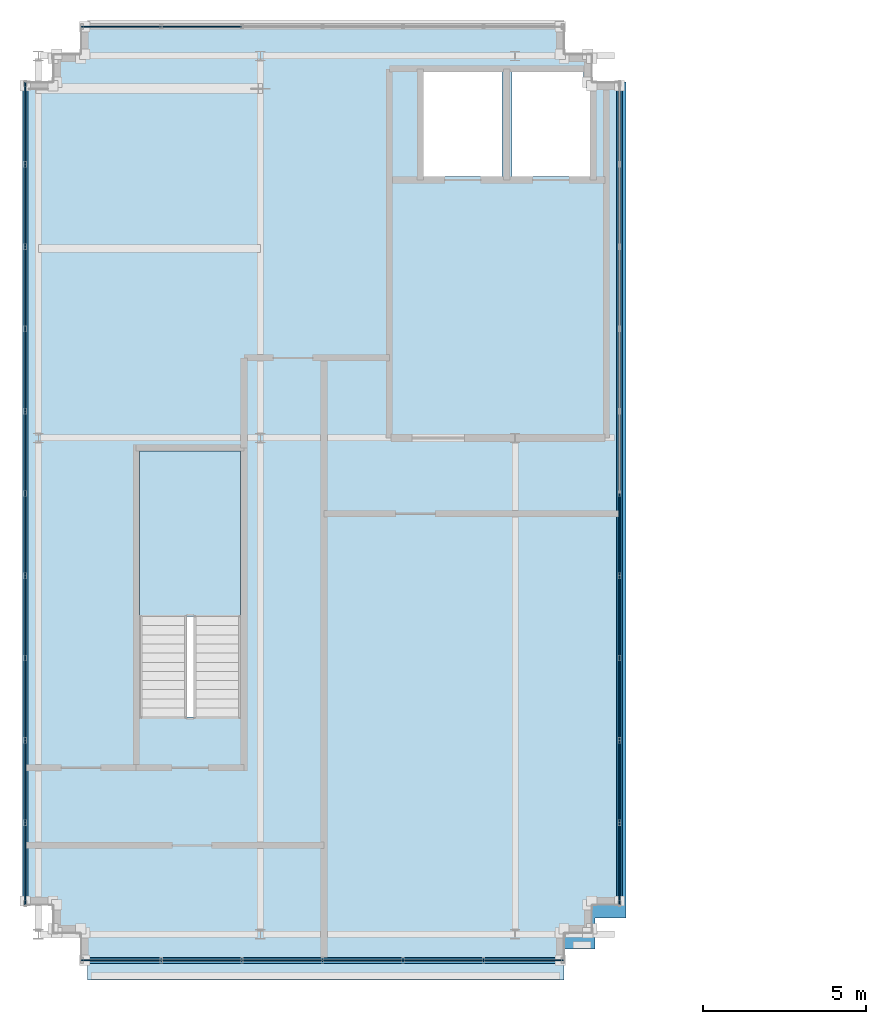
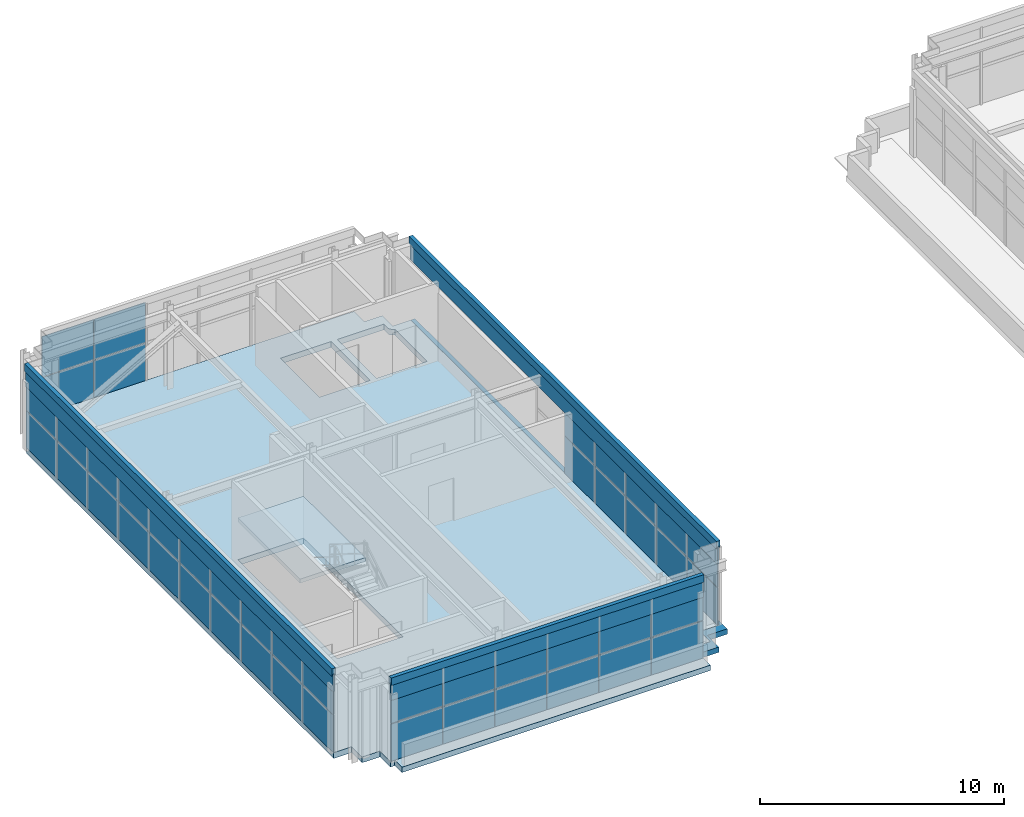
# One storey, part 16 of 25: 52 plates, 4 slabs, 5 elements without a shape of their own.
"""IFC4 building model written with IfcOpenShell, lengths in metres."""

from ifc_helpers import new_model, si_unit, direction, frame, origin, origin_2d, place, context, subcontext, project, spatial, polyline, rectangle, outline, extrude, source, transform, mapped, material, layer, layer_set, type_object, element, aggregate, save


model = new_model("IFC4")

# Units and contexts
model_context = context("Model", 3, precision=1e-05, world=origin(), true_north=direction((0.0, 1.0)))
body_context = subcontext(model_context, "Body", "Model", "MODEL_VIEW")
ifc_project = project(units=[si_unit("LENGTHUNIT", "METRE"), si_unit("AREAUNIT", "SQUARE_METRE"), si_unit("VOLUMEUNIT", "CUBIC_METRE"), si_unit("PLANEANGLEUNIT", "RADIAN"), si_unit("MASSUNIT", "GRAM", prefix="KILO")], contexts=[model_context])

# Site, building, storey
site_placement = place(None, origin())
site = spatial("IfcSite", under=ifc_project, at=site_placement, CompositionType="ELEMENT")
building_placement = place(site_placement, origin())
building = spatial("IfcBuilding", under=site, at=building_placement, Name="Trelvane Seafront Commons", CompositionType="ELEMENT")
storey_placement = place(building_placement, frame((0.0, 0.0, 316.699951171875)))
storey = spatial("IfcBuildingStorey", under=building, at=storey_placement, Name="L82", CompositionType="ELEMENT", Elevation=316.699951171875)

# Stair, slab
ifc_material_1 = material(Name="Concrete C40/50", Category="concrete")
stair_type = type_object("IfcStairType", Name="ARCH-STR-ST-5-R24-175", PredefinedType="HALF_TURN_STAIR", material=ifc_material_1)
stair_placement = place(storey_placement, origin())
stair = element("IfcStair", 1, at=stair_placement, inside=storey, type_object=stair_type, Name="L82 Crown West Peak Enclosed Maintenance Exit Stair ST-5", PredefinedType="HALF_TURN_STAIR")
ifc_layer_1 = layer(ifc_material_1, 0.199951171875, Name="ARCH-LND-200")
ifc_layer_set_1 = layer_set([ifc_layer_1], Name="Concrete C40/50")
slab_type_1 = type_object("IfcSlabType", Name="ARCH-LND-200", PredefinedType="LANDING", material=ifc_layer_set_1)
slab_1_placement = place(storey_placement, frame((0.0, 0.0, 1.900146484375)))
slab_1 = element("IfcSlab", 2, at=slab_1_placement, type_object=slab_type_1, Name="ST-5 landing 1", PredefinedType="LANDING", context=body_context, shape_type="SweptSolid", body=[
    extrude(outline(polyline([(15.0, 27.929931640625), (15.0, 33.0), (11.89990234375, 33.0), (11.89990234375, 27.929931640625), (15.0, 27.929931640625)])), origin(), (0.0, 0.0, 1.0), 0.199951171875),
])
aggregate(stair, [slab_1])

# Slabs
ifc_layer_2 = layer(ifc_material_1, 0.27001953125, Name="STR-ROOF-270")
ifc_layer_set_2 = layer_set([ifc_layer_2], Name="Concrete C40/50")
slab_type_2 = type_object("IfcSlabType", Name="STR-ROOF-270", PredefinedType="ROOF", material=ifc_layer_set_2)
slab_2_placement = place(storey_placement, frame((0.0, 0.0, -0.27001953125)))
element("IfcSlab", 3, at=slab_2_placement, inside=storey, type_object=slab_type_2, Name="L82 Crown Setback Step Roof Slab", PredefinedType="ROOF", context=body_context, shape_type="SweptSolid", body=[
    extrude(outline(polyline([(26.60009765625, 44.300048828125), (26.60009765625, 19.10009765625), (25.75, 19.10009765625), (25.75, 18.25), (24.89990234375, 18.25), (24.89990234375, 17.75), (25.85009765625, 17.75), (25.85009765625, 18.699951171875), (26.800048828125, 18.699951171875), (26.800048828125, 44.300048828125), (26.60009765625, 44.300048828125)])), origin(), (0.0, 0.0, 1.0), 0.27001953125),
])
slab_3_placement = place(storey_placement, frame((0.0, 0.0, -0.27001953125)))
element("IfcSlab", 4, at=slab_3_placement, inside=storey, type_object=slab_type_2, Name="L82 Crown Setback Step Roof Slab", PredefinedType="ROOF", context=body_context, shape_type="SweptSolid", body=[
    extrude(outline(polyline([(24.89990234375, 17.39990234375), (10.300048828125, 17.39990234375), (10.300048828125, 16.800048828125), (24.89990234375, 16.800048828125), (24.89990234375, 17.39990234375)])), origin(), (0.0, 0.0, 1.0), 0.27001953125),
])
ifc_material_2 = material(Name="Concrete C50/60", Category="concrete")
ifc_layer_3 = layer(ifc_material_2, 0.2900390625, Name="STR-SLB-CRN290")
ifc_layer_set_3 = layer_set([ifc_layer_3], Name="Concrete C50/60")
slab_type_3 = type_object("IfcSlabType", Name="STR-SLB-CRN290", PredefinedType="FLOOR", material=ifc_layer_set_3)
slab_4_placement = place(storey_placement, frame((0.0, 0.0, -0.2900390625)))
element("IfcSlab", 5, at=slab_4_placement, inside=storey, type_object=slab_type_3, Name="L82 West Crown Peak Floor Slab", PredefinedType="FLOOR", context=body_context, shape_type="SweptSolid", body=[
    extrude(outline(polyline([(10.10009765625, 17.39990234375), (24.89990234375, 17.39990234375), (24.89990234375, 18.25), (25.75, 18.25), (25.75, 19.10009765625), (26.60009765625, 19.10009765625), (26.60009765625, 44.300048828125), (25.75, 44.300048828125), (25.75, 45.14990234375), (24.89990234375, 45.14990234375), (24.89990234375, 46.0), (10.10009765625, 46.0), (10.10009765625, 45.14990234375), (9.25, 45.14990234375), (9.25, 44.300048828125), (8.39990234375, 44.300048828125), (8.39990234375, 19.10009765625), (9.25, 19.10009765625), (9.25, 18.25), (10.10009765625, 18.25), (10.10009765625, 17.39990234375)]), holes=[polyline([(15.0, 33.0), (15.0, 24.85009765625), (11.89990234375, 24.85009765625), (11.89990234375, 33.0), (15.0, 33.0)]), polyline([(23.0, 44.60009765625), (23.0, 41.39990234375), (20.60009765625, 41.39990234375), (20.60009765625, 44.60009765625), (23.0, 44.60009765625)]), polyline([(25.5, 44.60009765625), (25.5, 44.300048828125), (25.501220703125, 44.275390625), (25.5048828125, 44.251220703125), (25.5107421875, 44.227294921875), (25.51904296875, 44.204345703125), (25.529541015625, 44.18212890625), (25.5419921875, 44.1611328125), (25.556640625, 44.141357421875), (25.5732421875, 44.123291015625), (25.59130859375, 44.106689453125), (25.611083984375, 44.092041015625), (25.632080078125, 44.07958984375), (25.654296875, 44.069091796875), (25.677490234375, 44.060791015625), (25.699951171875, 44.05517578125), (25.699951171875, 41.39990234375), (23.300048828125, 41.39990234375), (23.300048828125, 44.60009765625), (25.5, 44.60009765625)])]), origin(), (0.0, 0.0, 1.0), 0.2900390625),
])

# Curtain wall, plates
ifc_material_3 = material(Name="Anodised pale-silver aluminium", Category="aluminium")
curtain_wall_type = type_object("IfcCurtainWallType", Name="ARCH-CW6-CROWN", PredefinedType="NOTDEFINED", material=ifc_material_3)
curtain_wall_1_placement = place(storey_placement, origin())
curtain_wall_1 = element("IfcCurtainWall", 6, at=curtain_wall_1_placement, inside=storey, type_object=curtain_wall_type, Name="CW-L82-0152", PredefinedType="NOTDEFINED")
ifc_material_4 = material(Name="Low-E coastal double glazing", Category="glass")
ifc_layer_4 = layer(ifc_material_4, 0.033935546875, Name="ARCH-CW-GLAZ-34")
ifc_layer_set_4 = layer_set([ifc_layer_4], Name="Low-E coastal double glazing")
plate_type_1 = type_object("IfcPlateType", Name="ARCH-CW-GLAZ-34", PredefinedType="CURTAIN_PANEL", material=ifc_layer_set_4)
shared_shape_1 = source(origin(), body_context, "Body", "SweptSolid", [
    extrude(rectangle(XDim=2.49609375, YDim=0.031982421875, at=origin_2d()), origin(), (0.0, 0.0, 1.0), 1.85888671875),
])
plate_1_placement = place(storey_placement, frame((8.39990234375, 20.360107421875, 0.0), z_axis=(0.0, 0.0, 1.0), x_axis=(0.0, 1.0, 0.0)))
plate_1 = element("IfcPlate", 7, at=plate_1_placement, type_object=plate_type_1, Name="CW-L82-0152-P00-1", PredefinedType="CURTAIN_PANEL", context=body_context, shape_type="MappedRepresentation", body=[
    mapped(shared_shape_1, transform((0.0, 0.0, 0.0), x_axis=(1.0, 0.0, 0.0), y_axis=(0.0, 1.0, 0.0), z_axis=(0.0, 0.0, 1.0), scale=1.0)),
])
plate_2_placement = place(storey_placement, frame((8.39990234375, 22.8798828125, 0.0), z_axis=(0.0, 0.0, 1.0), x_axis=(0.0, 1.0, 0.0)))
plate_2 = element("IfcPlate", 8, at=plate_2_placement, type_object=plate_type_1, Name="CW-L82-0152-P01-1", PredefinedType="CURTAIN_PANEL", context=body_context, shape_type="MappedRepresentation", body=[
    mapped(shared_shape_1, transform((0.0, 0.0, 0.0), x_axis=(1.0, 0.0, 0.0), y_axis=(0.0, 1.0, 0.0), z_axis=(0.0, 0.0, 1.0), scale=1.0)),
])
plate_3_placement = place(storey_placement, frame((8.39990234375, 25.39990234375, 0.0), z_axis=(0.0, 0.0, 1.0), x_axis=(0.0, 1.0, 0.0)))
plate_3 = element("IfcPlate", 9, at=plate_3_placement, type_object=plate_type_1, Name="CW-L82-0152-P02-1", PredefinedType="CURTAIN_PANEL", context=body_context, shape_type="MappedRepresentation", body=[
    mapped(shared_shape_1, transform((0.0, 0.0, 0.0), x_axis=(1.0, 0.0, 0.0), y_axis=(0.0, 1.0, 0.0), z_axis=(0.0, 0.0, 1.0), scale=1.0)),
])
plate_4_placement = place(storey_placement, frame((8.39990234375, 27.919921875, 0.0), z_axis=(0.0, 0.0, 1.0), x_axis=(0.0, 1.0, 0.0)))
plate_4 = element("IfcPlate", 10, at=plate_4_placement, type_object=plate_type_1, Name="CW-L82-0152-P03-1", PredefinedType="CURTAIN_PANEL", context=body_context, shape_type="MappedRepresentation", body=[
    mapped(shared_shape_1, transform((0.0, 0.0, 0.0), x_axis=(1.0, 0.0, 0.0), y_axis=(0.0, 1.0, 0.0), z_axis=(0.0, 0.0, 1.0), scale=1.0)),
])
plate_5_placement = place(storey_placement, frame((8.39990234375, 30.43994140625, 0.0), z_axis=(0.0, 0.0, 1.0), x_axis=(0.0, 1.0, 0.0)))
plate_5 = element("IfcPlate", 11, at=plate_5_placement, type_object=plate_type_1, Name="CW-L82-0152-P04-1", PredefinedType="CURTAIN_PANEL", context=body_context, shape_type="MappedRepresentation", body=[
    mapped(shared_shape_1, transform((0.0, 0.0, 0.0), x_axis=(1.0, 0.0, 0.0), y_axis=(0.0, 1.0, 0.0), z_axis=(0.0, 0.0, 1.0), scale=1.0)),
])
plate_6_placement = place(storey_placement, frame((8.39990234375, 32.9599609375, 0.0), z_axis=(0.0, 0.0, 1.0), x_axis=(0.0, 1.0, 0.0)))
plate_6 = element("IfcPlate", 12, at=plate_6_placement, type_object=plate_type_1, Name="CW-L82-0152-P05-1", PredefinedType="CURTAIN_PANEL", context=body_context, shape_type="MappedRepresentation", body=[
    mapped(shared_shape_1, transform((0.0, 0.0, 0.0), x_axis=(1.0, 0.0, 0.0), y_axis=(0.0, 1.0, 0.0), z_axis=(0.0, 0.0, 1.0), scale=1.0)),
])
plate_7_placement = place(storey_placement, frame((8.39990234375, 35.47998046875, 0.0), z_axis=(0.0, 0.0, 1.0), x_axis=(0.0, 1.0, 0.0)))
plate_7 = element("IfcPlate", 13, at=plate_7_placement, type_object=plate_type_1, Name="CW-L82-0152-P06-1", PredefinedType="CURTAIN_PANEL", context=body_context, shape_type="MappedRepresentation", body=[
    mapped(shared_shape_1, transform((0.0, 0.0, 0.0), x_axis=(1.0, 0.0, 0.0), y_axis=(0.0, 1.0, 0.0), z_axis=(0.0, 0.0, 1.0), scale=1.0)),
])
plate_8_placement = place(storey_placement, frame((8.39990234375, 38.0, 0.0), z_axis=(0.0, 0.0, 1.0), x_axis=(0.0, 1.0, 0.0)))
plate_8 = element("IfcPlate", 14, at=plate_8_placement, type_object=plate_type_1, Name="CW-L82-0152-P07-1", PredefinedType="CURTAIN_PANEL", context=body_context, shape_type="MappedRepresentation", body=[
    mapped(shared_shape_1, transform((0.0, 0.0, 0.0), x_axis=(1.0, 0.0, 0.0), y_axis=(0.0, 1.0, 0.0), z_axis=(0.0, 0.0, 1.0), scale=1.0)),
])
plate_9_placement = place(storey_placement, frame((8.39990234375, 40.52001953125, 0.0), z_axis=(0.0, 0.0, 1.0), x_axis=(0.0, 1.0, 0.0)))
plate_9 = element("IfcPlate", 15, at=plate_9_placement, type_object=plate_type_1, Name="CW-L82-0152-P08-1", PredefinedType="CURTAIN_PANEL", context=body_context, shape_type="MappedRepresentation", body=[
    mapped(shared_shape_1, transform((0.0, 0.0, 0.0), x_axis=(1.0, 0.0, 0.0), y_axis=(0.0, 1.0, 0.0), z_axis=(0.0, 0.0, 1.0), scale=1.0)),
])
plate_10_placement = place(storey_placement, frame((8.39990234375, 43.0400390625, 0.0), z_axis=(0.0, 0.0, 1.0), x_axis=(0.0, 1.0, 0.0)))
plate_10 = element("IfcPlate", 16, at=plate_10_placement, type_object=plate_type_1, Name="CW-L82-0152-P09-1", PredefinedType="CURTAIN_PANEL", context=body_context, shape_type="MappedRepresentation", body=[
    mapped(shared_shape_1, transform((0.0, 0.0, 0.0), x_axis=(1.0, 0.0, 0.0), y_axis=(0.0, 1.0, 0.0), z_axis=(0.0, 0.0, 1.0), scale=1.0)),
])

curtain_wall_2_placement = place(storey_placement, origin())
curtain_wall_2 = element("IfcCurtainWall", 17, at=curtain_wall_2_placement, inside=storey, type_object=curtain_wall_type, Name="CW-L82-0154", PredefinedType="NOTDEFINED")
plate_11_placement = place(storey_placement, frame((26.60009765625, 30.43994140625, 0.0), z_axis=(0.0, 0.0, 1.0), x_axis=(0.0, -1.0, 0.0)))
plate_11 = element("IfcPlate", 18, at=plate_11_placement, type_object=plate_type_1, Name="CW-L82-0154-P05-1", PredefinedType="CURTAIN_PANEL", context=body_context, shape_type="MappedRepresentation", body=[
    mapped(shared_shape_1, transform((0.0, 0.0, 0.0), x_axis=(1.0, 0.0, 0.0), y_axis=(0.0, 1.0, 0.0), z_axis=(0.0, 0.0, 1.0), scale=1.0)),
])
plate_12_placement = place(storey_placement, frame((26.60009765625, 27.919921875, 0.0), z_axis=(0.0, 0.0, 1.0), x_axis=(0.0, -1.0, 0.0)))
plate_12 = element("IfcPlate", 19, at=plate_12_placement, type_object=plate_type_1, Name="CW-L82-0154-P06-1", PredefinedType="CURTAIN_PANEL", context=body_context, shape_type="MappedRepresentation", body=[
    mapped(shared_shape_1, transform((0.0, 0.0, 0.0), x_axis=(1.0, 0.0, 0.0), y_axis=(0.0, 1.0, 0.0), z_axis=(0.0, 0.0, 1.0), scale=1.0)),
])
plate_13_placement = place(storey_placement, frame((26.60009765625, 25.39990234375, 0.0), z_axis=(0.0, 0.0, 1.0), x_axis=(0.0, -1.0, 0.0)))
plate_13 = element("IfcPlate", 20, at=plate_13_placement, type_object=plate_type_1, Name="CW-L82-0154-P07-1", PredefinedType="CURTAIN_PANEL", context=body_context, shape_type="MappedRepresentation", body=[
    mapped(shared_shape_1, transform((0.0, 0.0, 0.0), x_axis=(1.0, 0.0, 0.0), y_axis=(0.0, 1.0, 0.0), z_axis=(0.0, 0.0, 1.0), scale=1.0)),
])
plate_14_placement = place(storey_placement, frame((26.60009765625, 22.8798828125, 0.0), z_axis=(0.0, 0.0, 1.0), x_axis=(0.0, -1.0, 0.0)))
plate_14 = element("IfcPlate", 21, at=plate_14_placement, type_object=plate_type_1, Name="CW-L82-0154-P08-1", PredefinedType="CURTAIN_PANEL", context=body_context, shape_type="MappedRepresentation", body=[
    mapped(shared_shape_1, transform((0.0, 0.0, 0.0), x_axis=(1.0, 0.0, 0.0), y_axis=(0.0, 1.0, 0.0), z_axis=(0.0, 0.0, 1.0), scale=1.0)),
])
plate_15_placement = place(storey_placement, frame((26.60009765625, 20.360107421875, 0.0), z_axis=(0.0, 0.0, 1.0), x_axis=(0.0, -1.0, 0.0)))
plate_15 = element("IfcPlate", 22, at=plate_15_placement, type_object=plate_type_1, Name="CW-L82-0154-P09-1", PredefinedType="CURTAIN_PANEL", context=body_context, shape_type="MappedRepresentation", body=[
    mapped(shared_shape_1, transform((0.0, 0.0, 0.0), x_axis=(1.0, 0.0, 0.0), y_axis=(0.0, 1.0, 0.0), z_axis=(0.0, 0.0, 1.0), scale=1.0)),
])

# Plate
shared_shape_2 = source(origin(), body_context, "Body", "SweptSolid", [
    extrude(rectangle(XDim=2.49609375, YDim=0.031982421875, at=origin_2d()), origin(), (0.0, 0.0, 1.0), 2.014892578125),
])
plate_16_placement = place(storey_placement, frame((8.39990234375, 20.360107421875, 1.89501953125), z_axis=(0.0, 0.0, 1.0), x_axis=(0.0, 1.0, 0.0)))
plate_16 = element("IfcPlate", 23, at=plate_16_placement, type_object=plate_type_1, Name="CW-L82-0152-P00-2", PredefinedType="CURTAIN_PANEL", context=body_context, shape_type="MappedRepresentation", body=[
    mapped(shared_shape_2, transform((0.0, 0.0, 0.0), x_axis=(1.0, 0.0, 0.0), y_axis=(0.0, 1.0, 0.0), z_axis=(0.0, 0.0, 1.0), scale=1.0)),
])

plate_17_placement = place(storey_placement, frame((8.39990234375, 22.8798828125, 1.89501953125), z_axis=(0.0, 0.0, 1.0), x_axis=(0.0, 1.0, 0.0)))
plate_17 = element("IfcPlate", 24, at=plate_17_placement, type_object=plate_type_1, Name="CW-L82-0152-P01-2", PredefinedType="CURTAIN_PANEL", context=body_context, shape_type="MappedRepresentation", body=[
    mapped(shared_shape_2, transform((0.0, 0.0, 0.0), x_axis=(1.0, 0.0, 0.0), y_axis=(0.0, 1.0, 0.0), z_axis=(0.0, 0.0, 1.0), scale=1.0)),
])

plate_18_placement = place(storey_placement, frame((8.39990234375, 25.39990234375, 1.89501953125), z_axis=(0.0, 0.0, 1.0), x_axis=(0.0, 1.0, 0.0)))
plate_18 = element("IfcPlate", 25, at=plate_18_placement, type_object=plate_type_1, Name="CW-L82-0152-P02-2", PredefinedType="CURTAIN_PANEL", context=body_context, shape_type="MappedRepresentation", body=[
    mapped(shared_shape_2, transform((0.0, 0.0, 0.0), x_axis=(1.0, 0.0, 0.0), y_axis=(0.0, 1.0, 0.0), z_axis=(0.0, 0.0, 1.0), scale=1.0)),
])

plate_19_placement = place(storey_placement, frame((8.39990234375, 27.919921875, 1.89501953125), z_axis=(0.0, 0.0, 1.0), x_axis=(0.0, 1.0, 0.0)))
plate_19 = element("IfcPlate", 26, at=plate_19_placement, type_object=plate_type_1, Name="CW-L82-0152-P03-2", PredefinedType="CURTAIN_PANEL", context=body_context, shape_type="MappedRepresentation", body=[
    mapped(shared_shape_2, transform((0.0, 0.0, 0.0), x_axis=(1.0, 0.0, 0.0), y_axis=(0.0, 1.0, 0.0), z_axis=(0.0, 0.0, 1.0), scale=1.0)),
])

plate_20_placement = place(storey_placement, frame((8.39990234375, 30.43994140625, 1.89501953125), z_axis=(0.0, 0.0, 1.0), x_axis=(0.0, 1.0, 0.0)))
plate_20 = element("IfcPlate", 27, at=plate_20_placement, type_object=plate_type_1, Name="CW-L82-0152-P04-2", PredefinedType="CURTAIN_PANEL", context=body_context, shape_type="MappedRepresentation", body=[
    mapped(shared_shape_2, transform((0.0, 0.0, 0.0), x_axis=(1.0, 0.0, 0.0), y_axis=(0.0, 1.0, 0.0), z_axis=(0.0, 0.0, 1.0), scale=1.0)),
])

plate_21_placement = place(storey_placement, frame((8.39990234375, 32.9599609375, 1.89501953125), z_axis=(0.0, 0.0, 1.0), x_axis=(0.0, 1.0, 0.0)))
plate_21 = element("IfcPlate", 28, at=plate_21_placement, type_object=plate_type_1, Name="CW-L82-0152-P05-2", PredefinedType="CURTAIN_PANEL", context=body_context, shape_type="MappedRepresentation", body=[
    mapped(shared_shape_2, transform((0.0, 0.0, 0.0), x_axis=(1.0, 0.0, 0.0), y_axis=(0.0, 1.0, 0.0), z_axis=(0.0, 0.0, 1.0), scale=1.0)),
])

plate_22_placement = place(storey_placement, frame((8.39990234375, 35.47998046875, 1.89501953125), z_axis=(0.0, 0.0, 1.0), x_axis=(0.0, 1.0, 0.0)))
plate_22 = element("IfcPlate", 29, at=plate_22_placement, type_object=plate_type_1, Name="CW-L82-0152-P06-2", PredefinedType="CURTAIN_PANEL", context=body_context, shape_type="MappedRepresentation", body=[
    mapped(shared_shape_2, transform((0.0, 0.0, 0.0), x_axis=(1.0, 0.0, 0.0), y_axis=(0.0, 1.0, 0.0), z_axis=(0.0, 0.0, 1.0), scale=1.0)),
])

plate_23_placement = place(storey_placement, frame((8.39990234375, 38.0, 1.89501953125), z_axis=(0.0, 0.0, 1.0), x_axis=(0.0, 1.0, 0.0)))
plate_23 = element("IfcPlate", 30, at=plate_23_placement, type_object=plate_type_1, Name="CW-L82-0152-P07-2", PredefinedType="CURTAIN_PANEL", context=body_context, shape_type="MappedRepresentation", body=[
    mapped(shared_shape_2, transform((0.0, 0.0, 0.0), x_axis=(1.0, 0.0, 0.0), y_axis=(0.0, 1.0, 0.0), z_axis=(0.0, 0.0, 1.0), scale=1.0)),
])

plate_24_placement = place(storey_placement, frame((8.39990234375, 40.52001953125, 1.89501953125), z_axis=(0.0, 0.0, 1.0), x_axis=(0.0, 1.0, 0.0)))
plate_24 = element("IfcPlate", 31, at=plate_24_placement, type_object=plate_type_1, Name="CW-L82-0152-P08-2", PredefinedType="CURTAIN_PANEL", context=body_context, shape_type="MappedRepresentation", body=[
    mapped(shared_shape_2, transform((0.0, 0.0, 0.0), x_axis=(1.0, 0.0, 0.0), y_axis=(0.0, 1.0, 0.0), z_axis=(0.0, 0.0, 1.0), scale=1.0)),
])

plate_25_placement = place(storey_placement, frame((8.39990234375, 43.0400390625, 1.89501953125), z_axis=(0.0, 0.0, 1.0), x_axis=(0.0, 1.0, 0.0)))
plate_25 = element("IfcPlate", 32, at=plate_25_placement, type_object=plate_type_1, Name="CW-L82-0152-P09-2", PredefinedType="CURTAIN_PANEL", context=body_context, shape_type="MappedRepresentation", body=[
    mapped(shared_shape_2, transform((0.0, 0.0, 0.0), x_axis=(1.0, 0.0, 0.0), y_axis=(0.0, 1.0, 0.0), z_axis=(0.0, 0.0, 1.0), scale=1.0)),
])

aggregate(curtain_wall_1, [plate_1, plate_16, plate_2, plate_17, plate_3, plate_18, plate_4, plate_19, plate_5, plate_20, plate_6, plate_21, plate_7, plate_22, plate_8, plate_23, plate_9, plate_24, plate_10, plate_25])

plate_26_placement = place(storey_placement, frame((26.60009765625, 30.43994140625, 1.89501953125), z_axis=(0.0, 0.0, 1.0), x_axis=(0.0, -1.0, 0.0)))
plate_26 = element("IfcPlate", 33, at=plate_26_placement, type_object=plate_type_1, Name="CW-L82-0154-P05-2", PredefinedType="CURTAIN_PANEL", context=body_context, shape_type="MappedRepresentation", body=[
    mapped(shared_shape_2, transform((0.0, 0.0, 0.0), x_axis=(1.0, 0.0, 0.0), y_axis=(0.0, 1.0, 0.0), z_axis=(0.0, 0.0, 1.0), scale=1.0)),
])

plate_27_placement = place(storey_placement, frame((26.60009765625, 27.919921875, 1.89501953125), z_axis=(0.0, 0.0, 1.0), x_axis=(0.0, -1.0, 0.0)))
plate_27 = element("IfcPlate", 34, at=plate_27_placement, type_object=plate_type_1, Name="CW-L82-0154-P06-2", PredefinedType="CURTAIN_PANEL", context=body_context, shape_type="MappedRepresentation", body=[
    mapped(shared_shape_2, transform((0.0, 0.0, 0.0), x_axis=(1.0, 0.0, 0.0), y_axis=(0.0, 1.0, 0.0), z_axis=(0.0, 0.0, 1.0), scale=1.0)),
])

plate_28_placement = place(storey_placement, frame((26.60009765625, 25.39990234375, 1.89501953125), z_axis=(0.0, 0.0, 1.0), x_axis=(0.0, -1.0, 0.0)))
plate_28 = element("IfcPlate", 35, at=plate_28_placement, type_object=plate_type_1, Name="CW-L82-0154-P07-2", PredefinedType="CURTAIN_PANEL", context=body_context, shape_type="MappedRepresentation", body=[
    mapped(shared_shape_2, transform((0.0, 0.0, 0.0), x_axis=(1.0, 0.0, 0.0), y_axis=(0.0, 1.0, 0.0), z_axis=(0.0, 0.0, 1.0), scale=1.0)),
])

plate_29_placement = place(storey_placement, frame((26.60009765625, 22.8798828125, 1.89501953125), z_axis=(0.0, 0.0, 1.0), x_axis=(0.0, -1.0, 0.0)))
plate_29 = element("IfcPlate", 36, at=plate_29_placement, type_object=plate_type_1, Name="CW-L82-0154-P08-2", PredefinedType="CURTAIN_PANEL", context=body_context, shape_type="MappedRepresentation", body=[
    mapped(shared_shape_2, transform((0.0, 0.0, 0.0), x_axis=(1.0, 0.0, 0.0), y_axis=(0.0, 1.0, 0.0), z_axis=(0.0, 0.0, 1.0), scale=1.0)),
])

plate_30_placement = place(storey_placement, frame((26.60009765625, 20.360107421875, 1.89501953125), z_axis=(0.0, 0.0, 1.0), x_axis=(0.0, -1.0, 0.0)))
plate_30 = element("IfcPlate", 37, at=plate_30_placement, type_object=plate_type_1, Name="CW-L82-0154-P09-2", PredefinedType="CURTAIN_PANEL", context=body_context, shape_type="MappedRepresentation", body=[
    mapped(shared_shape_2, transform((0.0, 0.0, 0.0), x_axis=(1.0, 0.0, 0.0), y_axis=(0.0, 1.0, 0.0), z_axis=(0.0, 0.0, 1.0), scale=1.0)),
])

aggregate(curtain_wall_2, [plate_11, plate_26, plate_12, plate_27, plate_13, plate_28, plate_14, plate_29, plate_15, plate_30])

# Plates
ifc_layer_5 = layer(ifc_material_3, 0.080078125, Name="ARCH-PLATE-LOUVRE")
ifc_layer_set_5 = layer_set([ifc_layer_5], Name="Anodised pale-silver aluminium")
plate_type_2 = type_object("IfcPlateType", Name="ARCH-PLATE-LOUVRE", PredefinedType="USERDEFINED", material=ifc_layer_set_5)
shared_shape_3 = source(origin(), body_context, "Body", "SweptSolid", [
    extrude(rectangle(XDim=25.199951171875, YDim=0.080078125, at=origin_2d()), origin(), (0.0, 0.0, 1.0), 0.889892578125),
])
for number, where, z_axis, x_axis, name in (
    (38, (8.39990234375, 31.699951171875, 3.06005859375), (0.0, 0.0, 1.0), (0.0, 1.0, 0.0), "LOU-L82-041"),
    (39, (26.60009765625, 31.699951171875, 3.06005859375), (0.0, 0.0, 1.0), (0.0, -1.0, 0.0), "LOU-L82-043"),
):
    element("IfcPlate", number, at=place(storey_placement, frame(where, z_axis=z_axis, x_axis=x_axis)), inside=storey, type_object=plate_type_2, Name=name, ObjectType="LOUVRE", PredefinedType="USERDEFINED", context=body_context, shape_type="MappedRepresentation", body=[
        mapped(shared_shape_3, transform((0.0, 0.0, 0.0), x_axis=(1.0, 0.0, 0.0), y_axis=(0.0, 1.0, 0.0), z_axis=(0.0, 0.0, 1.0), scale=1.0)),
    ])
ifc_layer_6 = layer(ifc_material_3, 0.179931640625, Name="ARCH-PLATE-AERO")
ifc_layer_set_6 = layer_set([ifc_layer_6], Name="Anodised pale-silver aluminium")
plate_type_3 = type_object("IfcPlateType", Name="ARCH-PLATE-AERO", PredefinedType="SHEET", material=ifc_layer_set_6)
shared_shape_4 = source(origin(), body_context, "Body", "SweptSolid", [
    extrude(rectangle(XDim=25.199951171875, YDim=0.179931640625, at=origin_2d()), origin(), (0.0, 0.0, 1.0), 0.3701171875),
])
for number, where, z_axis, x_axis, name in (
    (40, (8.39990234375, 31.699951171875, 3.85009765625), (0.0, 0.0, 1.0), (0.0, 1.0, 0.0), "AER-L82-00298"),
    (41, (26.60009765625, 31.699951171875, 3.85009765625), (0.0, 0.0, 1.0), (0.0, -1.0, 0.0), "AER-L82-00300"),
):
    element("IfcPlate", number, at=place(storey_placement, frame(where, z_axis=z_axis, x_axis=x_axis)), inside=storey, type_object=plate_type_3, Name=name, PredefinedType="SHEET", context=body_context, shape_type="MappedRepresentation", body=[
        mapped(shared_shape_4, transform((0.0, 0.0, 0.0), x_axis=(1.0, 0.0, 0.0), y_axis=(0.0, 1.0, 0.0), z_axis=(0.0, 0.0, 1.0), scale=1.0)),
    ])

# Curtain wall, plates
curtain_wall_3_placement = place(storey_placement, origin())
curtain_wall_3 = element("IfcCurtainWall", 42, at=curtain_wall_3_placement, inside=storey, type_object=curtain_wall_type, Name="CW-L82-0153", PredefinedType="NOTDEFINED")
shared_shape_5 = source(origin(), body_context, "Body", "SweptSolid", [
    extrude(rectangle(XDim=2.442626953125, YDim=0.031982421875, at=origin_2d()), origin(), (0.0, 0.0, 1.0), 1.85888671875),
])
plate_31_placement = place(storey_placement, frame((11.333251953125, 46.0, 0.0), z_axis=(0.0, 0.0, 1.0), x_axis=(1.0, 0.0, 0.0)))
plate_31 = element("IfcPlate", 43, at=plate_31_placement, type_object=plate_type_1, Name="CW-L82-0153-P00-1", PredefinedType="CURTAIN_PANEL", context=body_context, shape_type="MappedRepresentation", body=[
    mapped(shared_shape_5, transform((0.0, 0.0, 0.0), x_axis=(1.0, 0.0, 0.0), y_axis=(0.0, 1.0, 0.0), z_axis=(0.0, 0.0, 1.0), scale=1.0)),
])
plate_32_placement = place(storey_placement, frame((13.800048828125, 46.0, 0.0), z_axis=(0.0, 0.0, 1.0), x_axis=(1.0, 0.0, 0.0)))
plate_32 = element("IfcPlate", 44, at=plate_32_placement, type_object=plate_type_1, Name="CW-L82-0153-P01-1", PredefinedType="CURTAIN_PANEL", context=body_context, shape_type="MappedRepresentation", body=[
    mapped(shared_shape_5, transform((0.0, 0.0, 0.0), x_axis=(1.0, 0.0, 0.0), y_axis=(0.0, 1.0, 0.0), z_axis=(0.0, 0.0, 1.0), scale=1.0)),
])

curtain_wall_4_placement = place(storey_placement, origin())
curtain_wall_4 = element("IfcCurtainWall", 45, at=curtain_wall_4_placement, inside=storey, type_object=curtain_wall_type, Name="CW-L82-0155", PredefinedType="NOTDEFINED")
plate_33_placement = place(storey_placement, frame((23.666748046875, 17.39990234375, 0.0), z_axis=(0.0, 0.0, 1.0), x_axis=(-1.0, 0.0, 0.0)))
plate_33 = element("IfcPlate", 46, at=plate_33_placement, type_object=plate_type_1, Name="CW-L82-0155-P00-1", PredefinedType="CURTAIN_PANEL", context=body_context, shape_type="MappedRepresentation", body=[
    mapped(shared_shape_5, transform((0.0, 0.0, 0.0), x_axis=(1.0, 0.0, 0.0), y_axis=(0.0, 1.0, 0.0), z_axis=(0.0, 0.0, 1.0), scale=1.0)),
])
plate_34_placement = place(storey_placement, frame((21.199951171875, 17.39990234375, 0.0), z_axis=(0.0, 0.0, 1.0), x_axis=(-1.0, 0.0, 0.0)))
plate_34 = element("IfcPlate", 47, at=plate_34_placement, type_object=plate_type_1, Name="CW-L82-0155-P01-1", PredefinedType="CURTAIN_PANEL", context=body_context, shape_type="MappedRepresentation", body=[
    mapped(shared_shape_5, transform((0.0, 0.0, 0.0), x_axis=(1.0, 0.0, 0.0), y_axis=(0.0, 1.0, 0.0), z_axis=(0.0, 0.0, 1.0), scale=1.0)),
])
plate_35_placement = place(storey_placement, frame((18.7333984375, 17.39990234375, 0.0), z_axis=(0.0, 0.0, 1.0), x_axis=(-1.0, 0.0, 0.0)))
plate_35 = element("IfcPlate", 48, at=plate_35_placement, type_object=plate_type_1, Name="CW-L82-0155-P02-1", PredefinedType="CURTAIN_PANEL", context=body_context, shape_type="MappedRepresentation", body=[
    mapped(shared_shape_5, transform((0.0, 0.0, 0.0), x_axis=(1.0, 0.0, 0.0), y_axis=(0.0, 1.0, 0.0), z_axis=(0.0, 0.0, 1.0), scale=1.0)),
])
plate_36_placement = place(storey_placement, frame((16.2666015625, 17.39990234375, 0.0), z_axis=(0.0, 0.0, 1.0), x_axis=(-1.0, 0.0, 0.0)))
plate_36 = element("IfcPlate", 49, at=plate_36_placement, type_object=plate_type_1, Name="CW-L82-0155-P03-1", PredefinedType="CURTAIN_PANEL", context=body_context, shape_type="MappedRepresentation", body=[
    mapped(shared_shape_5, transform((0.0, 0.0, 0.0), x_axis=(1.0, 0.0, 0.0), y_axis=(0.0, 1.0, 0.0), z_axis=(0.0, 0.0, 1.0), scale=1.0)),
])
plate_37_placement = place(storey_placement, frame((13.800048828125, 17.39990234375, 0.0), z_axis=(0.0, 0.0, 1.0), x_axis=(-1.0, 0.0, 0.0)))
plate_37 = element("IfcPlate", 50, at=plate_37_placement, type_object=plate_type_1, Name="CW-L82-0155-P04-1", PredefinedType="CURTAIN_PANEL", context=body_context, shape_type="MappedRepresentation", body=[
    mapped(shared_shape_5, transform((0.0, 0.0, 0.0), x_axis=(1.0, 0.0, 0.0), y_axis=(0.0, 1.0, 0.0), z_axis=(0.0, 0.0, 1.0), scale=1.0)),
])
plate_38_placement = place(storey_placement, frame((11.333251953125, 17.39990234375, 0.0), z_axis=(0.0, 0.0, 1.0), x_axis=(-1.0, 0.0, 0.0)))
plate_38 = element("IfcPlate", 51, at=plate_38_placement, type_object=plate_type_1, Name="CW-L82-0155-P05-1", PredefinedType="CURTAIN_PANEL", context=body_context, shape_type="MappedRepresentation", body=[
    mapped(shared_shape_5, transform((0.0, 0.0, 0.0), x_axis=(1.0, 0.0, 0.0), y_axis=(0.0, 1.0, 0.0), z_axis=(0.0, 0.0, 1.0), scale=1.0)),
])

# Plate
shared_shape_6 = source(origin(), body_context, "Body", "SweptSolid", [
    extrude(rectangle(XDim=2.442626953125, YDim=0.031982421875, at=origin_2d()), origin(), (0.0, 0.0, 1.0), 2.014892578125),
])
plate_39_placement = place(storey_placement, frame((11.333251953125, 46.0, 1.89501953125), z_axis=(0.0, 0.0, 1.0), x_axis=(1.0, 0.0, 0.0)))
plate_39 = element("IfcPlate", 52, at=plate_39_placement, type_object=plate_type_1, Name="CW-L82-0153-P00-2", PredefinedType="CURTAIN_PANEL", context=body_context, shape_type="MappedRepresentation", body=[
    mapped(shared_shape_6, transform((0.0, 0.0, 0.0), x_axis=(1.0, 0.0, 0.0), y_axis=(0.0, 1.0, 0.0), z_axis=(0.0, 0.0, 1.0), scale=1.0)),
])

plate_40_placement = place(storey_placement, frame((13.800048828125, 46.0, 1.89501953125), z_axis=(0.0, 0.0, 1.0), x_axis=(1.0, 0.0, 0.0)))
plate_40 = element("IfcPlate", 53, at=plate_40_placement, type_object=plate_type_1, Name="CW-L82-0153-P01-2", PredefinedType="CURTAIN_PANEL", context=body_context, shape_type="MappedRepresentation", body=[
    mapped(shared_shape_6, transform((0.0, 0.0, 0.0), x_axis=(1.0, 0.0, 0.0), y_axis=(0.0, 1.0, 0.0), z_axis=(0.0, 0.0, 1.0), scale=1.0)),
])

aggregate(curtain_wall_3, [plate_31, plate_39, plate_32, plate_40])

plate_41_placement = place(storey_placement, frame((23.666748046875, 17.39990234375, 1.89501953125), z_axis=(0.0, 0.0, 1.0), x_axis=(-1.0, 0.0, 0.0)))
plate_41 = element("IfcPlate", 54, at=plate_41_placement, type_object=plate_type_1, Name="CW-L82-0155-P00-2", PredefinedType="CURTAIN_PANEL", context=body_context, shape_type="MappedRepresentation", body=[
    mapped(shared_shape_6, transform((0.0, 0.0, 0.0), x_axis=(1.0, 0.0, 0.0), y_axis=(0.0, 1.0, 0.0), z_axis=(0.0, 0.0, 1.0), scale=1.0)),
])

plate_42_placement = place(storey_placement, frame((21.199951171875, 17.39990234375, 1.89501953125), z_axis=(0.0, 0.0, 1.0), x_axis=(-1.0, 0.0, 0.0)))
plate_42 = element("IfcPlate", 55, at=plate_42_placement, type_object=plate_type_1, Name="CW-L82-0155-P01-2", PredefinedType="CURTAIN_PANEL", context=body_context, shape_type="MappedRepresentation", body=[
    mapped(shared_shape_6, transform((0.0, 0.0, 0.0), x_axis=(1.0, 0.0, 0.0), y_axis=(0.0, 1.0, 0.0), z_axis=(0.0, 0.0, 1.0), scale=1.0)),
])

plate_43_placement = place(storey_placement, frame((18.7333984375, 17.39990234375, 1.89501953125), z_axis=(0.0, 0.0, 1.0), x_axis=(-1.0, 0.0, 0.0)))
plate_43 = element("IfcPlate", 56, at=plate_43_placement, type_object=plate_type_1, Name="CW-L82-0155-P02-2", PredefinedType="CURTAIN_PANEL", context=body_context, shape_type="MappedRepresentation", body=[
    mapped(shared_shape_6, transform((0.0, 0.0, 0.0), x_axis=(1.0, 0.0, 0.0), y_axis=(0.0, 1.0, 0.0), z_axis=(0.0, 0.0, 1.0), scale=1.0)),
])

plate_44_placement = place(storey_placement, frame((16.2666015625, 17.39990234375, 1.89501953125), z_axis=(0.0, 0.0, 1.0), x_axis=(-1.0, 0.0, 0.0)))
plate_44 = element("IfcPlate", 57, at=plate_44_placement, type_object=plate_type_1, Name="CW-L82-0155-P03-2", PredefinedType="CURTAIN_PANEL", context=body_context, shape_type="MappedRepresentation", body=[
    mapped(shared_shape_6, transform((0.0, 0.0, 0.0), x_axis=(1.0, 0.0, 0.0), y_axis=(0.0, 1.0, 0.0), z_axis=(0.0, 0.0, 1.0), scale=1.0)),
])

plate_45_placement = place(storey_placement, frame((13.800048828125, 17.39990234375, 1.89501953125), z_axis=(0.0, 0.0, 1.0), x_axis=(-1.0, 0.0, 0.0)))
plate_45 = element("IfcPlate", 58, at=plate_45_placement, type_object=plate_type_1, Name="CW-L82-0155-P04-2", PredefinedType="CURTAIN_PANEL", context=body_context, shape_type="MappedRepresentation", body=[
    mapped(shared_shape_6, transform((0.0, 0.0, 0.0), x_axis=(1.0, 0.0, 0.0), y_axis=(0.0, 1.0, 0.0), z_axis=(0.0, 0.0, 1.0), scale=1.0)),
])

plate_46_placement = place(storey_placement, frame((11.333251953125, 17.39990234375, 1.89501953125), z_axis=(0.0, 0.0, 1.0), x_axis=(-1.0, 0.0, 0.0)))
plate_46 = element("IfcPlate", 59, at=plate_46_placement, type_object=plate_type_1, Name="CW-L82-0155-P05-2", PredefinedType="CURTAIN_PANEL", context=body_context, shape_type="MappedRepresentation", body=[
    mapped(shared_shape_6, transform((0.0, 0.0, 0.0), x_axis=(1.0, 0.0, 0.0), y_axis=(0.0, 1.0, 0.0), z_axis=(0.0, 0.0, 1.0), scale=1.0)),
])

aggregate(curtain_wall_4, [plate_33, plate_41, plate_34, plate_42, plate_35, plate_43, plate_36, plate_44, plate_37, plate_45, plate_38, plate_46])

# Plates
shared_shape_7 = source(origin(), body_context, "Body", "SweptSolid", [
    extrude(rectangle(XDim=14.800048828125, YDim=0.080078125, at=origin_2d()), origin(), (0.0, 0.0, 1.0), 0.889892578125),
])
plate_47_placement = place(storey_placement, frame((17.5, 17.39990234375, 3.06005859375), z_axis=(0.0, 0.0, 1.0), x_axis=(-1.0, 0.0, 0.0)))
element("IfcPlate", 60, at=plate_47_placement, inside=storey, type_object=plate_type_2, Name="LOU-L82-044", ObjectType="LOUVRE", PredefinedType="USERDEFINED", context=body_context, shape_type="MappedRepresentation", body=[
    mapped(shared_shape_7, transform((0.0, 0.0, 0.0), x_axis=(1.0, 0.0, 0.0), y_axis=(0.0, 1.0, 0.0), z_axis=(0.0, 0.0, 1.0), scale=1.0)),
])
shared_shape_8 = source(origin(), body_context, "Body", "SweptSolid", [
    extrude(rectangle(XDim=14.800048828125, YDim=0.179931640625, at=origin_2d()), origin(), (0.0, 0.0, 1.0), 0.3701171875),
])
plate_48_placement = place(storey_placement, frame((17.5, 17.39990234375, 3.85009765625), z_axis=(0.0, 0.0, 1.0), x_axis=(-1.0, 0.0, 0.0)))
element("IfcPlate", 61, at=plate_48_placement, inside=storey, type_object=plate_type_3, Name="AER-L82-00301", PredefinedType="SHEET", context=body_context, shape_type="MappedRepresentation", body=[
    mapped(shared_shape_8, transform((0.0, 0.0, 0.0), x_axis=(1.0, 0.0, 0.0), y_axis=(0.0, 1.0, 0.0), z_axis=(0.0, 0.0, 1.0), scale=1.0)),
])

save(model, "model.ifc")
